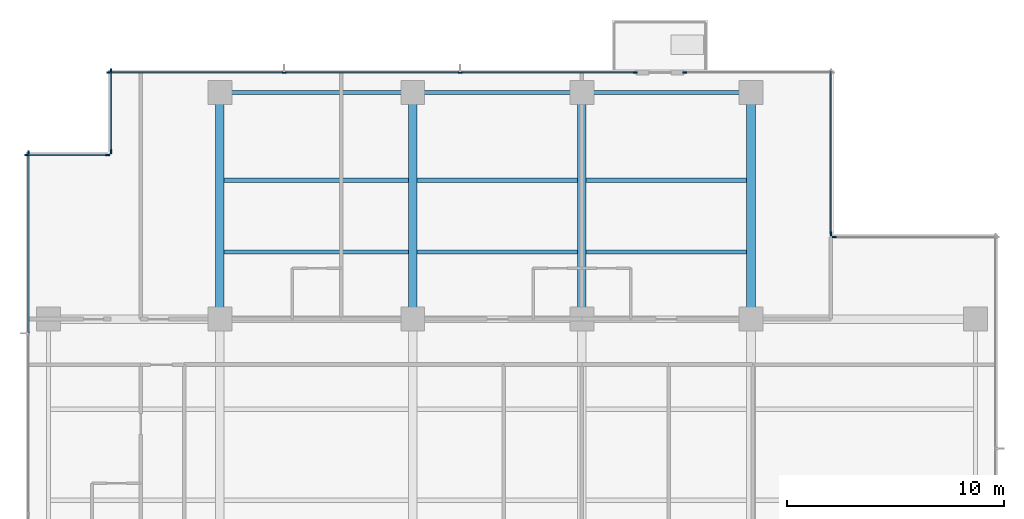
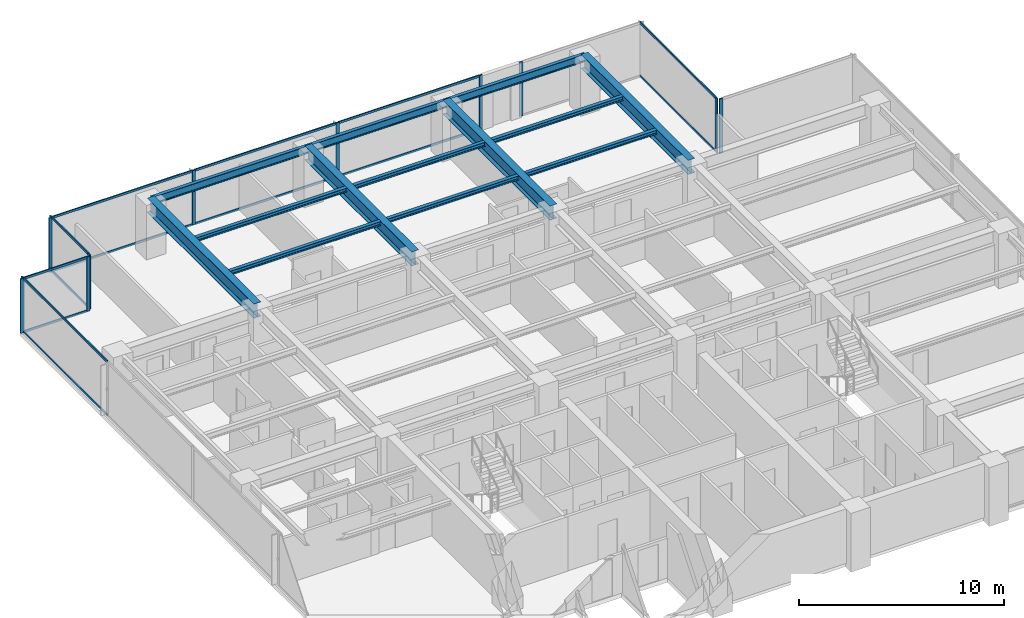
# One storey, part 4 of 15: 26 members, 13 beams, 7 elements without a shape of their own.
"""IFC4 building model written with IfcOpenShell, lengths in metres."""

from ifc_helpers import new_model, si_unit, direction, frame, origin, origin_2d, place, context, subcontext, project, spatial, rectangle, i_section, extrude, material, layer, layer_set, material_profile, profile_set, type_object, element, aggregate, save


model = new_model("IFC4")

# Units and contexts
model_context = context("Model", 3, precision=1e-05, world=origin(), true_north=direction((0.0, 1.0)))
body_context = subcontext(model_context, "Body", "Model", "MODEL_VIEW")
ifc_project = project(units=[si_unit("LENGTHUNIT", "METRE"), si_unit("AREAUNIT", "SQUARE_METRE"), si_unit("VOLUMEUNIT", "CUBIC_METRE"), si_unit("PLANEANGLEUNIT", "RADIAN"), si_unit("MASSUNIT", "GRAM", prefix="KILO")], contexts=[model_context])

# Site, building, storey
site_placement = place(None, origin())
site = spatial("IfcSite", under=ifc_project, at=site_placement, CompositionType="ELEMENT")
building_placement = place(site_placement, origin())
building = spatial("IfcBuilding", under=site, at=building_placement, Name="Qalmaran Belvedere Hotel", CompositionType="ELEMENT")
storey_placement = place(building_placement, frame((0.0, 0.0, 163.10009765625)))
storey = spatial("IfcBuildingStorey", under=building, at=storey_placement, Name="L41", CompositionType="ELEMENT", Elevation=163.10009765625)

# Beams
ifc_material_1 = material(Name="Steel S355JR", Category="steel")
ifc_material_profile_1 = material_profile(ifc_material_1, i_section(OverallWidth=0.201904296875, OverallDepth=0.2470703125, WebThickness=0.00732421875, FlangeThickness=0.010986328125, FilletRadius=0.011962890625, at=origin_2d()), Name="W250X49")
ifc_profile_set_1 = profile_set([ifc_material_profile_1], Name="Steel S355JR")
beam_type_1 = type_object("IfcBeamType", Name="BM-JST-W250X49", PredefinedType="JOIST", material=ifc_profile_set_1)
beam_1_placement = place(storey_placement, frame((20.498046875, 36.10009765625, 3.12646484375), z_axis=(1.0, 0.0, 0.0), x_axis=(0.0, 1.0, 0.0)))
element("IfcBeam", 1, at=beam_1_placement, inside=storey, type_object=beam_type_1, Name="L41 North Floor Joist 042", PredefinedType="JOIST", context=body_context, shape_type="SweptSolid", body=[
    extrude(i_section(OverallWidth=0.201904296875, OverallDepth=0.2470703125, WebThickness=0.00732421875, FlangeThickness=0.010986328125, FilletRadius=0.011962890625, at=origin_2d()), origin(), (0.0, 0.0, 1.0), 8.50390625),
])
for number, where, z_axis, x_axis, name in (
    (2, (29.39794921875, 36.10009765625, 3.12646484375), (1.0, 0.0, 0.0), (0.0, 1.0, 0.0), "L41 North Floor Joist 043"),
    (3, (37.197998046875, 36.10009765625, 3.12646484375), (1.0, 0.0, 0.0), (0.0, 1.0, 0.0), "L41 North Floor Joist 044"),
):
    element("IfcBeam", number, at=place(storey_placement, frame(where, z_axis=z_axis, x_axis=x_axis)), inside=storey, type_object=beam_type_1, Name=name, PredefinedType="JOIST", context=body_context, shape_type="SweptSolid", body=[
        extrude(i_section(OverallWidth=0.201904296875, OverallDepth=0.2470703125, WebThickness=0.00732421875, FlangeThickness=0.010986328125, FilletRadius=0.011962890625, at=origin_2d()), origin(), (0.0, 0.0, 1.0), 7.404052734375),
    ])
beam_2_placement = place(storey_placement, frame((20.498046875, 39.39990234375, 3.12646484375), z_axis=(1.0, 0.0, 0.0), x_axis=(0.0, 1.0, 0.0)))
element("IfcBeam", 4, at=beam_2_placement, inside=storey, type_object=beam_type_1, Name="L41 North Floor Joist 045", PredefinedType="JOIST", context=body_context, shape_type="SweptSolid", body=[
    extrude(i_section(OverallWidth=0.201904296875, OverallDepth=0.2470703125, WebThickness=0.00732421875, FlangeThickness=0.010986328125, FilletRadius=0.011962890625, at=origin_2d()), origin(), (0.0, 0.0, 1.0), 8.50390625),
])
for number, where, z_axis, x_axis, name in (
    (5, (29.39794921875, 39.39990234375, 3.12646484375), (1.0, 0.0, 0.0), (0.0, 1.0, 0.0), "L41 North Floor Joist 046"),
    (6, (37.197998046875, 39.39990234375, 3.12646484375), (1.0, 0.0, 0.0), (0.0, 1.0, 0.0), "L41 North Floor Joist 047"),
):
    element("IfcBeam", number, at=place(storey_placement, frame(where, z_axis=z_axis, x_axis=x_axis)), inside=storey, type_object=beam_type_1, Name=name, PredefinedType="JOIST", context=body_context, shape_type="SweptSolid", body=[
        extrude(i_section(OverallWidth=0.201904296875, OverallDepth=0.2470703125, WebThickness=0.00732421875, FlangeThickness=0.010986328125, FilletRadius=0.011962890625, at=origin_2d()), origin(), (0.0, 0.0, 1.0), 7.404052734375),
    ])
ifc_material_profile_2 = material_profile(ifc_material_1, i_section(OverallWidth=0.39990234375, OverallDepth=0.85498046875, WebThickness=0.018310546875, FlangeThickness=0.029296875, FilletRadius=0.02392578125, at=origin_2d()), Name="W840X299")
ifc_profile_set_2 = profile_set([ifc_material_profile_2], Name="Steel S355JR")
beam_type_2 = type_object("IfcBeamType", Name="BM-PG3-W840X299", PredefinedType="USERDEFINED", material=ifc_profile_set_2)
for number, where, z_axis, x_axis, name in (
    (7, (20.300048828125, 33.0, 2.822509765625), (0.0, 1.0, 0.0), (-1.0, 0.0, 0.0), "L41 North Bay Girder 15"),
    (8, (29.199951171875, 33.0, 2.822509765625), (0.0, 1.0, 0.0), (-1.0, 0.0, 0.0), "L41 North Bay Girder 17"),
    (9, (37.0, 33.0, 2.822509765625), (0.0, 1.0, 0.0), (-1.0, 0.0, 0.0), "L41 North Bay Girder 19"),
    (10, (44.800048828125, 33.0, 2.822509765625), (0.0, 1.0, 0.0), (-1.0, 0.0, 0.0), "L41 North Bay Girder 21"),
):
    element("IfcBeam", number, at=place(storey_placement, frame(where, z_axis=z_axis, x_axis=x_axis)), inside=storey, type_object=beam_type_2, Name=name, ObjectType="GIRDER", PredefinedType="USERDEFINED", context=body_context, shape_type="SweptSolid", body=[
        extrude(i_section(OverallWidth=0.39990234375, OverallDepth=0.85498046875, WebThickness=0.018310546875, FlangeThickness=0.029296875, FilletRadius=0.02392578125, at=origin_2d()), origin(), (0.0, 0.0, 1.0), 10.449951171875),
    ])
ifc_material_profile_3 = material_profile(ifc_material_1, i_section(OverallWidth=0.19189453125, OverallDepth=0.462890625, WebThickness=0.010498046875, FlangeThickness=0.017578125, FilletRadius=0.01611328125, at=origin_2d()), Name="W460X89")
ifc_profile_set_3 = profile_set([ifc_material_profile_3], Name="Steel S355JR")
beam_type_3 = type_object("IfcBeamType", Name="BM-SP2-W460X89", PredefinedType="SPANDREL", material=ifc_profile_set_3)
beam_3_placement = place(storey_placement, frame((20.300048828125, 43.449951171875, 3.018310546875), z_axis=(1.0, 0.0, 0.0), x_axis=(0.0, 1.0, 0.0)))
element("IfcBeam", 11, at=beam_3_placement, inside=storey, type_object=beam_type_3, Name="L41 Perimeter Spandrel 05", PredefinedType="SPANDREL", context=body_context, shape_type="SweptSolid", body=[
    extrude(i_section(OverallWidth=0.19189453125, OverallDepth=0.462890625, WebThickness=0.010498046875, FlangeThickness=0.017578125, FilletRadius=0.01611328125, at=origin_2d()), origin(), (0.0, 0.0, 1.0), 8.89990234375),
])
for number, where, z_axis, x_axis, name in (
    (12, (29.199951171875, 43.449951171875, 3.018310546875), (1.0, 0.0, 0.0), (0.0, 1.0, 0.0), "L41 Perimeter Spandrel 06"),
    (13, (37.0, 43.449951171875, 3.018310546875), (1.0, 0.0, 0.0), (0.0, 1.0, 0.0), "L41 Perimeter Spandrel 07"),
):
    element("IfcBeam", number, at=place(storey_placement, frame(where, z_axis=z_axis, x_axis=x_axis)), inside=storey, type_object=beam_type_3, Name=name, PredefinedType="SPANDREL", context=body_context, shape_type="SweptSolid", body=[
        extrude(i_section(OverallWidth=0.19189453125, OverallDepth=0.462890625, WebThickness=0.010498046875, FlangeThickness=0.017578125, FilletRadius=0.01611328125, at=origin_2d()), origin(), (0.0, 0.0, 1.0), 7.800048828125),
    ])

# Curtain wall, member
ifc_material_2 = material(Name="Anodised Bronze Aluminium", Category="aluminium")
ifc_layer = layer(ifc_material_2, 0.195068359375, Name="Anodised Bronze Aluminium")
ifc_layer_set = layer_set([ifc_layer], Name="Anodised Bronze Aluminium")
curtain_wall_type = type_object("IfcCurtainWallType", Name="CW4-TOWER-HIGHMID", PredefinedType="NOTDEFINED", material=ifc_layer_set)
curtain_wall_1_placement = place(storey_placement, origin())
curtain_wall_1 = element("IfcCurtainWall", 14, at=curtain_wall_1_placement, inside=storey, type_object=curtain_wall_type, Name="L41 Curtain Wall CW4", PredefinedType="NOTDEFINED")
ifc_material_profile_4 = material_profile(ifc_material_2, rectangle(XDim=0.070068359375, YDim=0.18994140625, at=origin_2d()), Name="CWM70X190")
ifc_profile_set_4 = profile_set([ifc_material_profile_4], Name="Anodised Bronze Aluminium")
member_type_1 = type_object("IfcMemberType", Name="CWM-70X190", PredefinedType="MULLION", material=ifc_profile_set_4)
member_1_placement = place(storey_placement, frame((48.635009765625, 36.780029296875, 0.0), z_axis=(0.0, 0.0, 1.0), x_axis=(0.0, -1.0, 0.0)))
member_1 = element("IfcMember", 15, at=member_1_placement, type_object=member_type_1, Name="CW4 mullion 2", PredefinedType="MULLION", context=body_context, shape_type="SweptSolid", body=[
    extrude(rectangle(XDim=0.070068359375, YDim=0.18994140625, at=origin_2d()), origin(), (0.0, 0.0, 1.0), 3.25),
])
aggregate(curtain_wall_1, [member_1])

curtain_wall_2_placement = place(storey_placement, origin())
curtain_wall_2 = element("IfcCurtainWall", 16, at=curtain_wall_2_placement, inside=storey, type_object=curtain_wall_type, Name="L41 Curtain Wall CW4", PredefinedType="NOTDEFINED")
member_2_placement = place(storey_placement, frame((48.47998046875, 36.93505859375, 0.0), z_axis=(0.0, 0.0, 1.0), x_axis=(-1.0, 0.0, 0.0)))
member_2 = element("IfcMember", 17, at=member_2_placement, type_object=member_type_1, Name="CW4 mullion 1", PredefinedType="MULLION", context=body_context, shape_type="SweptSolid", body=[
    extrude(rectangle(XDim=0.070068359375, YDim=0.18994140625, at=origin_2d()), origin(), (0.0, 0.0, 1.0), 3.25),
])

# Curtain wall, members
curtain_wall_3_placement = place(storey_placement, origin())
curtain_wall_3 = element("IfcCurtainWall", 18, at=curtain_wall_3_placement, inside=storey, type_object=curtain_wall_type, Name="L41 Curtain Wall CW4", PredefinedType="NOTDEFINED")
member_3_placement = place(storey_placement, frame((39.465087890625, 44.3798828125, 0.0), z_axis=(0.0, 0.0, 1.0), x_axis=(0.0, -1.0, 0.0)))
member_3 = element("IfcMember", 19, at=member_3_placement, type_object=member_type_1, Name="CW4 mullion 1", PredefinedType="MULLION", context=body_context, shape_type="SweptSolid", body=[
    extrude(rectangle(XDim=0.070068359375, YDim=0.18994140625, at=origin_2d()), origin(), (0.0, 0.0, 1.0), 3.25),
])
member_4_placement = place(storey_placement, frame((31.38330078125, 44.3798828125, 0.0), z_axis=(0.0, 0.0, 1.0), x_axis=(0.0, -1.0, 0.0)))
member_4 = element("IfcMember", 20, at=member_4_placement, type_object=member_type_1, Name="CW4 mullion 2", PredefinedType="MULLION", context=body_context, shape_type="SweptSolid", body=[
    extrude(rectangle(XDim=0.070068359375, YDim=0.18994140625, at=origin_2d()), origin(), (0.0, 0.0, 1.0), 3.25),
])
member_5_placement = place(storey_placement, frame((23.2666015625, 44.3798828125, 0.0), z_axis=(0.0, 0.0, 1.0), x_axis=(0.0, -1.0, 0.0)))
member_5 = element("IfcMember", 21, at=member_5_placement, type_object=member_type_1, Name="CW4 mullion 3", PredefinedType="MULLION", context=body_context, shape_type="SweptSolid", body=[
    extrude(rectangle(XDim=0.070068359375, YDim=0.18994140625, at=origin_2d()), origin(), (0.0, 0.0, 1.0), 3.25),
])
member_6_placement = place(storey_placement, frame((15.18505859375, 44.3798828125, 0.0), z_axis=(0.0, 0.0, 1.0), x_axis=(0.0, -1.0, 0.0)))
member_6 = element("IfcMember", 22, at=member_6_placement, type_object=member_type_1, Name="CW4 mullion 4", PredefinedType="MULLION", context=body_context, shape_type="SweptSolid", body=[
    extrude(rectangle(XDim=0.070068359375, YDim=0.18994140625, at=origin_2d()), origin(), (0.0, 0.0, 1.0), 3.25),
])

# Curtain wall, member
curtain_wall_4_placement = place(storey_placement, origin())
curtain_wall_4 = element("IfcCurtainWall", 23, at=curtain_wall_4_placement, inside=storey, type_object=curtain_wall_type, Name="L41 Curtain Wall CW4", PredefinedType="NOTDEFINED")
member_7_placement = place(storey_placement, frame((41.735107421875, 44.3798828125, 0.0), z_axis=(0.0, 0.0, 1.0), x_axis=(0.0, -1.0, 0.0)))
member_7 = element("IfcMember", 24, at=member_7_placement, type_object=member_type_1, Name="CW4 mullion 2", PredefinedType="MULLION", context=body_context, shape_type="SweptSolid", body=[
    extrude(rectangle(XDim=0.070068359375, YDim=0.18994140625, at=origin_2d()), origin(), (0.0, 0.0, 1.0), 3.25),
])
aggregate(curtain_wall_4, [member_7])

# Curtain wall, members
curtain_wall_5_placement = place(storey_placement, origin())
curtain_wall_5 = element("IfcCurtainWall", 25, at=curtain_wall_5_placement, inside=storey, type_object=curtain_wall_type, Name="L41 Curtain Wall CW4", PredefinedType="NOTDEFINED")
member_8_placement = place(storey_placement, frame((15.27001953125, 44.465087890625, 0.0), z_axis=(0.0, 0.0, 1.0), x_axis=(1.0, 0.0, 0.0)))
member_8 = element("IfcMember", 26, at=member_8_placement, type_object=member_type_1, Name="CW4 mullion 1", PredefinedType="MULLION", context=body_context, shape_type="SweptSolid", body=[
    extrude(rectangle(XDim=0.070068359375, YDim=0.18994140625, at=origin_2d()), origin(), (0.0, 0.0, 1.0), 3.25),
])
member_9_placement = place(storey_placement, frame((15.27001953125, 40.735107421875, 0.0), z_axis=(0.0, 0.0, 1.0), x_axis=(1.0, 0.0, 0.0)))
member_9 = element("IfcMember", 27, at=member_9_placement, type_object=member_type_1, Name="CW4 mullion 2", PredefinedType="MULLION", context=body_context, shape_type="SweptSolid", body=[
    extrude(rectangle(XDim=0.070068359375, YDim=0.18994140625, at=origin_2d()), origin(), (0.0, 0.0, 1.0), 3.25),
])

curtain_wall_6_placement = place(storey_placement, origin())
curtain_wall_6 = element("IfcCurtainWall", 28, at=curtain_wall_6_placement, inside=storey, type_object=curtain_wall_type, Name="L41 Curtain Wall CW4", PredefinedType="NOTDEFINED")
member_10_placement = place(storey_placement, frame((15.114990234375, 40.580078125, 0.0), z_axis=(0.0, 0.0, 1.0), x_axis=(0.0, -1.0, 0.0)))
member_10 = element("IfcMember", 29, at=member_10_placement, type_object=member_type_1, Name="CW4 mullion 1", PredefinedType="MULLION", context=body_context, shape_type="SweptSolid", body=[
    extrude(rectangle(XDim=0.070068359375, YDim=0.18994140625, at=origin_2d()), origin(), (0.0, 0.0, 1.0), 3.25),
])
member_11_placement = place(storey_placement, frame((11.385009765625, 40.580078125, 0.0), z_axis=(0.0, 0.0, 1.0), x_axis=(0.0, -1.0, 0.0)))
member_11 = element("IfcMember", 30, at=member_11_placement, type_object=member_type_1, Name="CW4 mullion 2", PredefinedType="MULLION", context=body_context, shape_type="SweptSolid", body=[
    extrude(rectangle(XDim=0.070068359375, YDim=0.18994140625, at=origin_2d()), origin(), (0.0, 0.0, 1.0), 3.25),
])

# Curtain wall, member
curtain_wall_7_placement = place(storey_placement, origin())
curtain_wall_7 = element("IfcCurtainWall", 31, at=curtain_wall_7_placement, inside=storey, type_object=curtain_wall_type, Name="L41 Curtain Wall CW4", PredefinedType="NOTDEFINED")
member_12_placement = place(storey_placement, frame((11.469970703125, 40.6650390625, 0.0), z_axis=(0.0, 0.0, 1.0), x_axis=(1.0, 0.0, 0.0)))
member_12 = element("IfcMember", 32, at=member_12_placement, type_object=member_type_1, Name="CW4 mullion 1", PredefinedType="MULLION", context=body_context, shape_type="SweptSolid", body=[
    extrude(rectangle(XDim=0.070068359375, YDim=0.18994140625, at=origin_2d()), origin(), (0.0, 0.0, 1.0), 3.25),
])

# Member
ifc_material_profile_5 = material_profile(ifc_material_2, rectangle(XDim=0.06494140625, YDim=0.1298828125, at=origin_2d()), Name="CWT65X130")
ifc_profile_set_5 = profile_set([ifc_material_profile_5], Name="Anodised Bronze Aluminium")
member_type_2 = type_object("IfcMemberType", Name="CWT-65X130", PredefinedType="USERDEFINED", material=ifc_profile_set_5)
member_13_placement = place(storey_placement, frame((48.47998046875, 36.969970703125, 0.032470703125), z_axis=(0.0, 1.0, 0.0), x_axis=(-1.0, 0.0, 0.0)))
member_13 = element("IfcMember", 33, at=member_13_placement, type_object=member_type_2, Name="CW4 transom 1.1", ObjectType="TRANSOM", PredefinedType="USERDEFINED", context=body_context, shape_type="SweptSolid", body=[
    extrude(rectangle(XDim=0.06494140625, YDim=0.1298828125, at=origin_2d()), origin(), (0.0, 0.0, 1.0), 7.4599609375),
])

member_14_placement = place(storey_placement, frame((48.47998046875, 36.969970703125, 3.21728515625), z_axis=(0.0, 1.0, 0.0), x_axis=(-1.0, 0.0, 0.0)))
member_14 = element("IfcMember", 34, at=member_14_placement, type_object=member_type_2, Name="CW4 transom 1.2", ObjectType="TRANSOM", PredefinedType="USERDEFINED", context=body_context, shape_type="SweptSolid", body=[
    extrude(rectangle(XDim=0.06494140625, YDim=0.1298828125, at=origin_2d()), origin(), (0.0, 0.0, 1.0), 7.4599609375),
])

aggregate(curtain_wall_2, [member_2, member_13, member_14])

member_15_placement = place(storey_placement, frame((39.429931640625, 44.3798828125, 0.032470703125), z_axis=(-1.0, 0.0, 0.0), x_axis=(0.0, -1.0, 0.0)))
member_15 = element("IfcMember", 35, at=member_15_placement, type_object=member_type_2, Name="CW4 transom 1.1", ObjectType="TRANSOM", PredefinedType="USERDEFINED", context=body_context, shape_type="SweptSolid", body=[
    extrude(rectangle(XDim=0.06494140625, YDim=0.1298828125, at=origin_2d()), origin(), (0.0, 0.0, 1.0), 8.01171875),
])

member_16_placement = place(storey_placement, frame((39.429931640625, 44.3798828125, 3.21728515625), z_axis=(-1.0, 0.0, 0.0), x_axis=(0.0, -1.0, 0.0)))
member_16 = element("IfcMember", 36, at=member_16_placement, type_object=member_type_2, Name="CW4 transom 1.2", ObjectType="TRANSOM", PredefinedType="USERDEFINED", context=body_context, shape_type="SweptSolid", body=[
    extrude(rectangle(XDim=0.06494140625, YDim=0.1298828125, at=origin_2d()), origin(), (0.0, 0.0, 1.0), 8.01171875),
])

member_17_placement = place(storey_placement, frame((31.348388671875, 44.3798828125, 0.032470703125), z_axis=(-1.0, 0.0, 0.0), x_axis=(0.0, -1.0, 0.0)))
member_17 = element("IfcMember", 37, at=member_17_placement, type_object=member_type_2, Name="CW4 transom 2.1", ObjectType="TRANSOM", PredefinedType="USERDEFINED", context=body_context, shape_type="SweptSolid", body=[
    extrude(rectangle(XDim=0.06494140625, YDim=0.1298828125, at=origin_2d()), origin(), (0.0, 0.0, 1.0), 8.046630859375),
])

member_18_placement = place(storey_placement, frame((31.348388671875, 44.3798828125, 3.21728515625), z_axis=(-1.0, 0.0, 0.0), x_axis=(0.0, -1.0, 0.0)))
member_18 = element("IfcMember", 38, at=member_18_placement, type_object=member_type_2, Name="CW4 transom 2.2", ObjectType="TRANSOM", PredefinedType="USERDEFINED", context=body_context, shape_type="SweptSolid", body=[
    extrude(rectangle(XDim=0.06494140625, YDim=0.1298828125, at=origin_2d()), origin(), (0.0, 0.0, 1.0), 8.046630859375),
])

member_19_placement = place(storey_placement, frame((23.231689453125, 44.3798828125, 0.032470703125), z_axis=(-1.0, 0.0, 0.0), x_axis=(0.0, -1.0, 0.0)))
member_19 = element("IfcMember", 39, at=member_19_placement, type_object=member_type_2, Name="CW4 transom 3.1", ObjectType="TRANSOM", PredefinedType="USERDEFINED", context=body_context, shape_type="SweptSolid", body=[
    extrude(rectangle(XDim=0.06494140625, YDim=0.1298828125, at=origin_2d()), origin(), (0.0, 0.0, 1.0), 8.01171875),
])

member_20_placement = place(storey_placement, frame((23.231689453125, 44.3798828125, 3.21728515625), z_axis=(-1.0, 0.0, 0.0), x_axis=(0.0, -1.0, 0.0)))
member_20 = element("IfcMember", 40, at=member_20_placement, type_object=member_type_2, Name="CW4 transom 3.2", ObjectType="TRANSOM", PredefinedType="USERDEFINED", context=body_context, shape_type="SweptSolid", body=[
    extrude(rectangle(XDim=0.06494140625, YDim=0.1298828125, at=origin_2d()), origin(), (0.0, 0.0, 1.0), 8.01171875),
])

aggregate(curtain_wall_3, [member_3, member_4, member_5, member_6, member_15, member_16, member_17, member_18, member_19, member_20])

member_21_placement = place(storey_placement, frame((15.27001953125, 44.429931640625, 0.032470703125), z_axis=(0.0, -1.0, 0.0), x_axis=(1.0, 0.0, 0.0)))
member_21 = element("IfcMember", 41, at=member_21_placement, type_object=member_type_2, Name="CW4 transom 1.1", ObjectType="TRANSOM", PredefinedType="USERDEFINED", context=body_context, shape_type="SweptSolid", body=[
    extrude(rectangle(XDim=0.06494140625, YDim=0.1298828125, at=origin_2d()), origin(), (0.0, 0.0, 1.0), 3.659912109375),
])

member_22_placement = place(storey_placement, frame((15.27001953125, 44.429931640625, 3.21728515625), z_axis=(0.0, -1.0, 0.0), x_axis=(1.0, 0.0, 0.0)))
member_22 = element("IfcMember", 42, at=member_22_placement, type_object=member_type_2, Name="CW4 transom 1.2", ObjectType="TRANSOM", PredefinedType="USERDEFINED", context=body_context, shape_type="SweptSolid", body=[
    extrude(rectangle(XDim=0.06494140625, YDim=0.1298828125, at=origin_2d()), origin(), (0.0, 0.0, 1.0), 3.659912109375),
])

aggregate(curtain_wall_5, [member_8, member_9, member_21, member_22])

member_23_placement = place(storey_placement, frame((15.080078125, 40.580078125, 0.032470703125), z_axis=(-1.0, 0.0, 0.0), x_axis=(0.0, -1.0, 0.0)))
member_23 = element("IfcMember", 43, at=member_23_placement, type_object=member_type_2, Name="CW4 transom 1.1", ObjectType="TRANSOM", PredefinedType="USERDEFINED", context=body_context, shape_type="SweptSolid", body=[
    extrude(rectangle(XDim=0.06494140625, YDim=0.1298828125, at=origin_2d()), origin(), (0.0, 0.0, 1.0), 3.66015625),
])

member_24_placement = place(storey_placement, frame((15.080078125, 40.580078125, 3.21728515625), z_axis=(-1.0, 0.0, 0.0), x_axis=(0.0, -1.0, 0.0)))
member_24 = element("IfcMember", 44, at=member_24_placement, type_object=member_type_2, Name="CW4 transom 1.2", ObjectType="TRANSOM", PredefinedType="USERDEFINED", context=body_context, shape_type="SweptSolid", body=[
    extrude(rectangle(XDim=0.06494140625, YDim=0.1298828125, at=origin_2d()), origin(), (0.0, 0.0, 1.0), 3.66015625),
])

aggregate(curtain_wall_6, [member_10, member_11, member_23, member_24])

member_25_placement = place(storey_placement, frame((11.469970703125, 40.6298828125, 0.032470703125), z_axis=(0.0, -1.0, 0.0), x_axis=(1.0, 0.0, 0.0)))
member_25 = element("IfcMember", 45, at=member_25_placement, type_object=member_type_2, Name="CW4 transom 1.1", ObjectType="TRANSOM", PredefinedType="USERDEFINED", context=body_context, shape_type="SweptSolid", body=[
    extrude(rectangle(XDim=0.06494140625, YDim=0.1298828125, at=origin_2d()), origin(), (0.0, 0.0, 1.0), 8.244873046875),
])

member_26_placement = place(storey_placement, frame((11.469970703125, 40.6298828125, 3.21728515625), z_axis=(0.0, -1.0, 0.0), x_axis=(1.0, 0.0, 0.0)))
member_26 = element("IfcMember", 46, at=member_26_placement, type_object=member_type_2, Name="CW4 transom 1.2", ObjectType="TRANSOM", PredefinedType="USERDEFINED", context=body_context, shape_type="SweptSolid", body=[
    extrude(rectangle(XDim=0.06494140625, YDim=0.1298828125, at=origin_2d()), origin(), (0.0, 0.0, 1.0), 8.244873046875),
])

aggregate(curtain_wall_7, [member_12, member_25, member_26])

save(model, "model.ifc")
